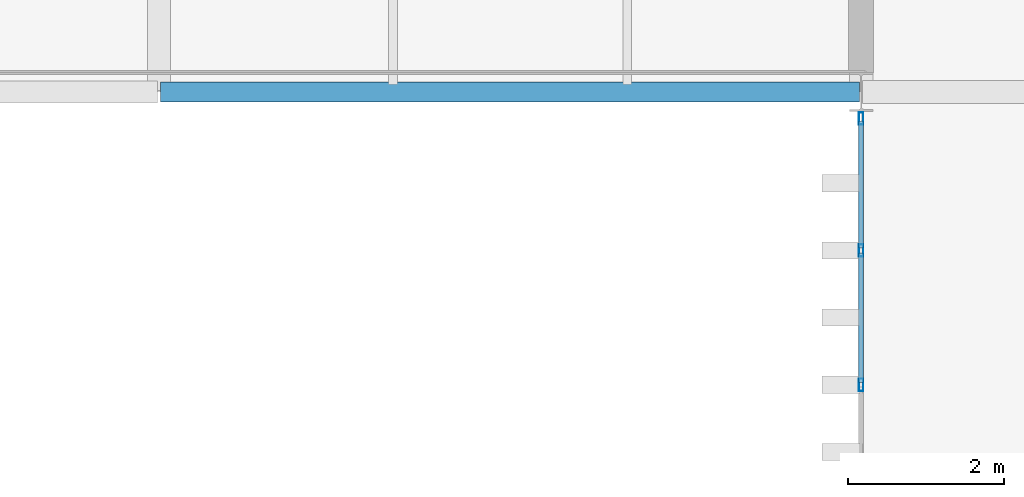
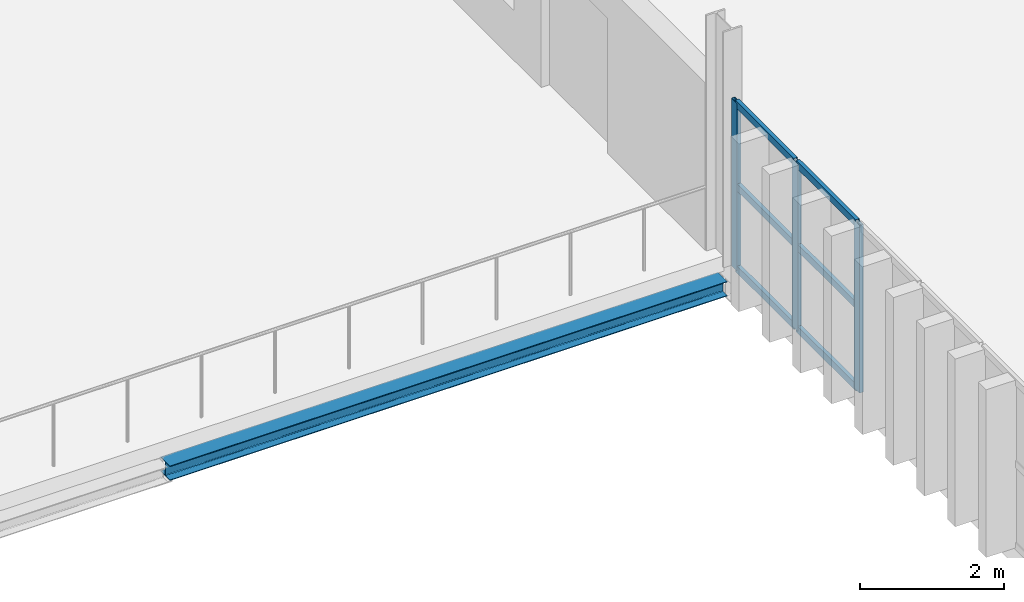
# One storey, part 32 of 102: 9 members, 1 beam, 1 element without a shape of its own.
"""IFC4 building model written with IfcOpenShell, lengths in metres."""

from ifc_helpers import new_model, si_unit, direction, frame, origin, origin_2d, place, context, subcontext, project, spatial, hollow_rectangle, i_section, extrude, material, layer, layer_set, material_profile, profile_set, type_object, element, aggregate, save


model = new_model("IFC4")

# Units and contexts
model_context = context("Model", 3, precision=1e-05, world=origin(), true_north=direction((0.0, 1.0)))
body_context = subcontext(model_context, "Body", "Model", "MODEL_VIEW")
ifc_project = project(units=[si_unit("LENGTHUNIT", "METRE"), si_unit("AREAUNIT", "SQUARE_METRE"), si_unit("VOLUMEUNIT", "CUBIC_METRE"), si_unit("PLANEANGLEUNIT", "RADIAN"), si_unit("MASSUNIT", "GRAM", prefix="KILO")], contexts=[model_context])

# Site, building, storey
site_placement = place(None, origin())
site = spatial("IfcSite", under=ifc_project, at=site_placement, CompositionType="ELEMENT")
building_placement = place(site_placement, origin())
building = spatial("IfcBuilding", under=site, at=building_placement, Name="Barlavento Convention Centre", CompositionType="ELEMENT")
storey_placement = place(building_placement, frame((0.0, 0.0, 22.800048828125)))
storey = spatial("IfcBuildingStorey", under=building, at=storey_placement, Name="L04", CompositionType="ELEMENT", Elevation=22.800048828125)

# Curtain wall, members
ifc_material_1 = material(Name="Powder-coated aluminium and Low-E glass", Category="aluminium")
ifc_layer = layer(ifc_material_1, 0.18505859375)
ifc_layer_set = layer_set([ifc_layer], Name="ARC-CW-CONF-L04")
curtain_wall_type = type_object("IfcCurtainWallType", Name="ARC-CW-CONF-L04", PredefinedType="NOTDEFINED", material=ifc_layer_set)
curtain_wall_placement = place(storey_placement, origin())
curtain_wall = element("IfcCurtainWall", 1, at=curtain_wall_placement, inside=storey, type_object=curtain_wall_type, Name="L04 unitised curtain wall CW09", PredefinedType="NOTDEFINED")
ifc_material_2 = material(Name="Powder-coated aluminium", Category="aluminium")
ifc_material_profile_1 = material_profile(ifc_material_2, hollow_rectangle(XDim=0.06005859375, YDim=0.159912109375, WallThickness=0.00390625, at=origin_2d()), Name="AL-MULL 60x160x4")
ifc_profile_set_1 = profile_set([ifc_material_profile_1], Name="Powder-coated aluminium")
member_type_1 = type_object("IfcMemberType", Name="ARC-CWM-60X160", PredefinedType="MULLION", material=ifc_profile_set_1)
member_1_placement = place(storey_placement, frame((153.0, 32.24609375, 0.0), z_axis=(0.0, 0.0, 1.0), x_axis=(-1.0, 0.0, 0.0)))
member_1 = element("IfcMember", 2, at=member_1_placement, type_object=member_type_1, Name="CW09 mullion 4", PredefinedType="MULLION", context=body_context, shape_type="SweptSolid", body=[
    extrude(hollow_rectangle(XDim=0.06005859375, YDim=0.159912109375, WallThickness=0.00390625, at=origin_2d()), origin(), (0.0, 0.0, 1.0), 2.849853515625),
])
member_2_placement = place(storey_placement, frame((153.0, 33.968017578125, 0.0), z_axis=(0.0, 0.0, 1.0), x_axis=(-1.0, 0.0, 0.0)))
member_2 = element("IfcMember", 3, at=member_2_placement, type_object=member_type_1, Name="CW09 mullion 5", PredefinedType="MULLION", context=body_context, shape_type="SweptSolid", body=[
    extrude(hollow_rectangle(XDim=0.06005859375, YDim=0.159912109375, WallThickness=0.00390625, at=origin_2d()), origin(), (0.0, 0.0, 1.0), 2.849853515625),
])
member_3_placement = place(storey_placement, frame((153.0, 35.659912109375, 0.0), z_axis=(0.0, 0.0, 1.0), x_axis=(-1.0, 0.0, 0.0)))
member_3 = element("IfcMember", 4, at=member_3_placement, type_object=member_type_1, Name="CW09 mullion 6", PredefinedType="MULLION", context=body_context, shape_type="SweptSolid", body=[
    extrude(hollow_rectangle(XDim=0.06005859375, YDim=0.159912109375, WallThickness=0.00390625, at=origin_2d()), origin(), (0.0, 0.0, 1.0), 2.849853515625),
])
ifc_material_profile_2 = material_profile(ifc_material_2, hollow_rectangle(XDim=0.06005859375, YDim=0.1201171875, WallThickness=0.00390625, at=origin_2d()), Name="AL-TRAN 60x120x4")
ifc_profile_set_2 = profile_set([ifc_material_profile_2], Name="Powder-coated aluminium")
member_type_2 = type_object("IfcMemberType", Name="ARC-CWT-60X120", PredefinedType="USERDEFINED", material=ifc_profile_set_2)
member_4_placement = place(storey_placement, frame((153.0, 32.27587890625, 0.030029296875), z_axis=(0.0, 1.0, 0.0), x_axis=(-1.0, 0.0, 0.0)))
member_4 = element("IfcMember", 5, at=member_4_placement, type_object=member_type_2, Name="CW09 transom 4.1", ObjectType="TRANSOM", PredefinedType="USERDEFINED", context=body_context, shape_type="SweptSolid", body=[
    extrude(hollow_rectangle(XDim=0.06005859375, YDim=0.1201171875, WallThickness=0.00390625, at=origin_2d()), origin(), (0.0, 0.0, 1.0), 1.662109375),
])
member_5_placement = place(storey_placement, frame((153.0, 32.27587890625, 1.425048828125), z_axis=(0.0, 1.0, 0.0), x_axis=(-1.0, 0.0, 0.0)))
member_5 = element("IfcMember", 6, at=member_5_placement, type_object=member_type_2, Name="CW09 transom 4.2", ObjectType="TRANSOM", PredefinedType="USERDEFINED", context=body_context, shape_type="SweptSolid", body=[
    extrude(hollow_rectangle(XDim=0.06005859375, YDim=0.1201171875, WallThickness=0.00390625, at=origin_2d()), origin(), (0.0, 0.0, 1.0), 1.662109375),
])
member_6_placement = place(storey_placement, frame((153.0, 32.27587890625, 2.820068359375), z_axis=(0.0, 1.0, 0.0), x_axis=(-1.0, 0.0, 0.0)))
member_6 = element("IfcMember", 7, at=member_6_placement, type_object=member_type_2, Name="CW09 transom 4.3", ObjectType="TRANSOM", PredefinedType="USERDEFINED", context=body_context, shape_type="SweptSolid", body=[
    extrude(hollow_rectangle(XDim=0.06005859375, YDim=0.1201171875, WallThickness=0.00390625, at=origin_2d()), origin(), (0.0, 0.0, 1.0), 1.662109375),
])
member_7_placement = place(storey_placement, frame((153.0, 33.998046875, 0.030029296875), z_axis=(0.0, 1.0, 0.0), x_axis=(-1.0, 0.0, 0.0)))
member_7 = element("IfcMember", 8, at=member_7_placement, type_object=member_type_2, Name="CW09 transom 5.1", ObjectType="TRANSOM", PredefinedType="USERDEFINED", context=body_context, shape_type="SweptSolid", body=[
    extrude(hollow_rectangle(XDim=0.06005859375, YDim=0.1201171875, WallThickness=0.00390625, at=origin_2d()), origin(), (0.0, 0.0, 1.0), 1.6318359375),
])
member_8_placement = place(storey_placement, frame((153.0, 33.998046875, 1.425048828125), z_axis=(0.0, 1.0, 0.0), x_axis=(-1.0, 0.0, 0.0)))
member_8 = element("IfcMember", 9, at=member_8_placement, type_object=member_type_2, Name="CW09 transom 5.2", ObjectType="TRANSOM", PredefinedType="USERDEFINED", context=body_context, shape_type="SweptSolid", body=[
    extrude(hollow_rectangle(XDim=0.06005859375, YDim=0.1201171875, WallThickness=0.00390625, at=origin_2d()), origin(), (0.0, 0.0, 1.0), 1.6318359375),
])
member_9_placement = place(storey_placement, frame((153.0, 33.998046875, 2.820068359375), z_axis=(0.0, 1.0, 0.0), x_axis=(-1.0, 0.0, 0.0)))
member_9 = element("IfcMember", 10, at=member_9_placement, type_object=member_type_2, Name="CW09 transom 5.3", ObjectType="TRANSOM", PredefinedType="USERDEFINED", context=body_context, shape_type="SweptSolid", body=[
    extrude(hollow_rectangle(XDim=0.06005859375, YDim=0.1201171875, WallThickness=0.00390625, at=origin_2d()), origin(), (0.0, 0.0, 1.0), 1.6318359375),
])
aggregate(curtain_wall, [member_1, member_2, member_3, member_4, member_5, member_6, member_7, member_8, member_9])

# Beam
ifc_material_3 = material(Name="Steel S355", Category="steel")
ifc_material_profile_3 = material_profile(ifc_material_3, i_section(OverallWidth=0.260009765625, OverallDepth=0.25, WebThickness=0.007568359375, FlangeThickness=0.012451171875, FilletRadius=0.02392578125, at=origin_2d()), Name="HEA 260")
ifc_profile_set_3 = profile_set([ifc_material_profile_3], Name="Steel S355")
beam_type = type_object("IfcBeamType", Name="STR-BM-SPN-HEA260", PredefinedType="SPANDREL", material=ifc_profile_set_3)
beam_placement = place(storey_placement, frame((144.02001953125, 36.0, -0.47509765625), z_axis=(1.0, 0.0, 0.0), x_axis=(0.0, 1.0, 0.0)))
element("IfcBeam", 11, at=beam_placement, inside=storey, type_object=beam_type, Name="L04 primary girder SP04", PredefinedType="SPANDREL", context=body_context, shape_type="SweptSolid", body=[
    extrude(i_section(OverallWidth=0.260009765625, OverallDepth=0.25, WebThickness=0.007568359375, FlangeThickness=0.012451171875, FilletRadius=0.02392578125, at=origin_2d()), origin(), (0.0, 0.0, 1.0), 8.9599609375),
])

save(model, "model.ifc")
